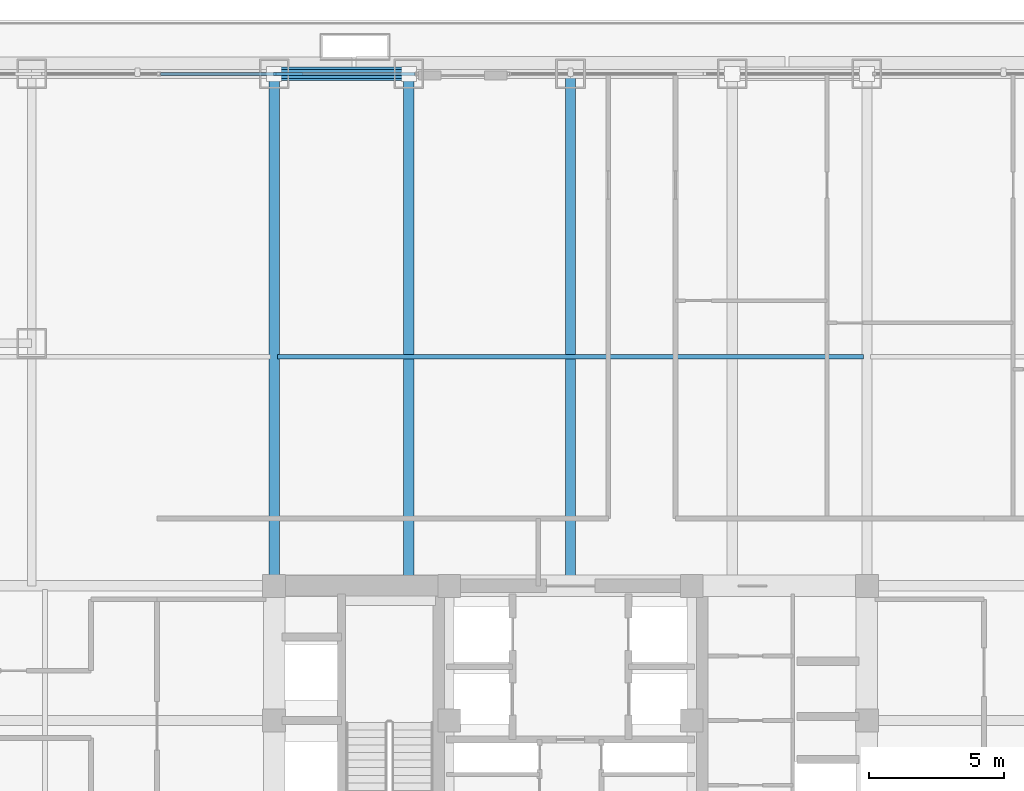
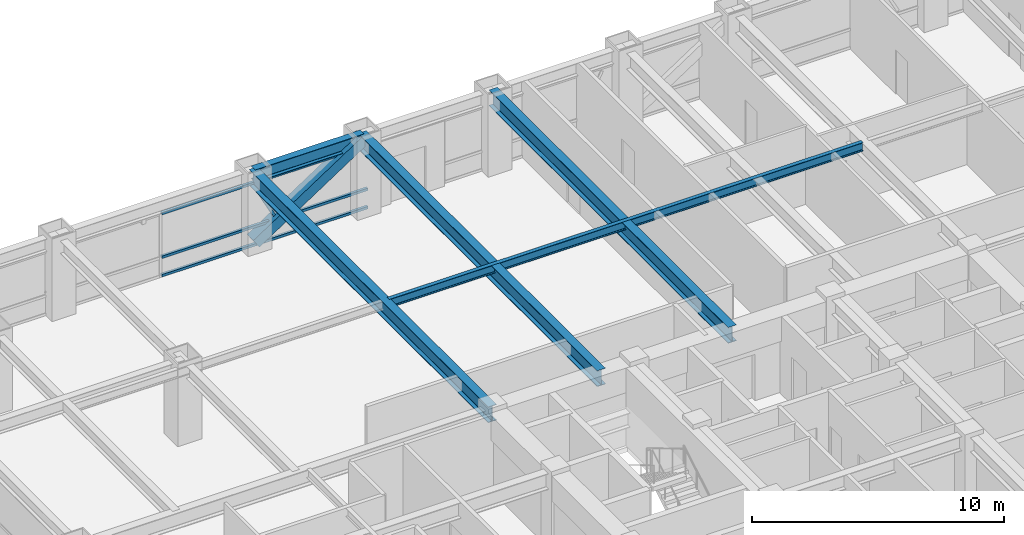
# One storey, part 18 of 35: 5 beams, 5 members, 1 element without a shape of its own.
"""IFC4 building model written with IfcOpenShell, lengths in metres."""

from ifc_helpers import new_model, si_unit, direction, frame, origin, origin_2d, place, context, subcontext, project, spatial, hollow_rectangle, i_section, extrude, source, transform, mapped, material, material_profile, profile_set, type_object, element, aggregate, save


model = new_model("IFC4")

# Units and contexts
model_context = context("Model", 3, precision=1e-05, world=origin(), true_north=direction((0.0, 1.0)))
body_context = subcontext(model_context, "Body", "Model", "MODEL_VIEW")
ifc_project = project(units=[si_unit("LENGTHUNIT", "METRE"), si_unit("AREAUNIT", "SQUARE_METRE"), si_unit("VOLUMEUNIT", "CUBIC_METRE"), si_unit("PLANEANGLEUNIT", "RADIAN"), si_unit("MASSUNIT", "GRAM", prefix="KILO")], contexts=[model_context])

# Site, building, storey
site_placement = place(None, origin())
site = spatial("IfcSite", under=ifc_project, at=site_placement, CompositionType="ELEMENT")
building_placement = place(site_placement, origin())
building = spatial("IfcBuilding", under=site, at=building_placement, Name="Khorayat Bourse Tower", CompositionType="ELEMENT")
storey_placement = place(building_placement, frame((0.0, 0.0, 155.10009765625)))
storey = spatial("IfcBuildingStorey", under=building, at=storey_placement, Name="L35", CompositionType="ELEMENT", Elevation=155.10009765625)

# Beams
ifc_material_1 = material(Name="Steel ASTM A992 Grade 50", Category="steel")
ifc_material_profile_1 = material_profile(ifc_material_1, i_section(OverallWidth=0.381103515625, OverallDepth=0.77294921875, WebThickness=0.0166015625, FlangeThickness=0.027587890625, FilletRadius=0.01806640625, at=origin_2d()), Name="W760X257")
ifc_profile_set_1 = profile_set([ifc_material_profile_1], Name="Steel ASTM A992 Grade 50")
beam_type_1 = type_object("IfcBeamType", Name="BM-GIRD-760", PredefinedType="BEAM", material=ifc_profile_set_1)
shared_shape_1 = source(origin(), body_context, "Body", "SweptSolid", [
    extrude(i_section(OverallWidth=0.381103515625, OverallDepth=0.77294921875, WebThickness=0.0166015625, FlangeThickness=0.027587890625, FilletRadius=0.01806640625, at=origin_2d()), origin(), (0.0, 0.0, 1.0), 19.0),
])
for number, where, z_axis, x_axis, name in (
    (1, (-11.0, 11.0, 3.393310546875), (0.0, 1.0, 0.0), (-1.0, 0.0, 0.0), "L35 BM-GIRD-760 BM-L35-RADY-064"),
    (2, (-6.0, 11.0, 3.393310546875), (0.0, 1.0, 0.0), (-1.0, 0.0, 0.0), "L35 BM-GIRD-760 BM-L35-RADY-066"),
    (3, (0.0, 11.0, 3.393310546875), (0.0, 1.0, 0.0), (-1.0, 0.0, 0.0), "L35 BM-GIRD-760 BM-L35-RADY-068"),
):
    element("IfcBeam", number, at=place(storey_placement, frame(where, z_axis=z_axis, x_axis=x_axis)), inside=storey, type_object=beam_type_1, Name=name, PredefinedType="BEAM", context=body_context, shape_type="MappedRepresentation", body=[
        mapped(shared_shape_1, transform((0.0, 0.0, 0.0), scale=1.0)),
    ])
ifc_material_profile_2 = material_profile(ifc_material_1, i_section(OverallWidth=0.180908203125, OverallDepth=0.4169921875, WebThickness=0.010986328125, FlangeThickness=0.018310546875, FilletRadius=0.011962890625, at=origin_2d()), Name="W410X85")
ifc_profile_set_2 = profile_set([ifc_material_profile_2], Name="Steel ASTM A992 Grade 50")
beam_type_2 = type_object("IfcBeamType", Name="BM-JOIST-410", PredefinedType="JOIST", material=ifc_profile_set_2)
shared_shape_2 = source(origin(), body_context, "Body", "SweptSolid", [
    extrude(i_section(OverallWidth=0.180908203125, OverallDepth=0.4169921875, WebThickness=0.010986328125, FlangeThickness=0.018310546875, FilletRadius=0.011962890625, at=origin_2d()), origin(), (0.0, 0.0, 1.0), 21.740234375),
])
beam_1_placement = place(storey_placement, frame((-10.8701171875, 19.5, 3.5712890625), z_axis=(1.0, 0.0, 0.0), x_axis=(0.0, 1.0, 0.0)))
element("IfcBeam", 4, at=beam_1_placement, inside=storey, type_object=beam_type_2, Name="L35 BM-JOIST-410 BM-L35-JSTX-100", PredefinedType="JOIST", context=body_context, shape_type="MappedRepresentation", body=[
    mapped(shared_shape_2, transform((0.0, 0.0, 0.0), scale=1.0)),
])
ifc_material_profile_3 = material_profile(ifc_material_1, i_section(OverallWidth=0.324951171875, OverallDepth=0.615966796875, WebThickness=0.013916015625, FlangeThickness=0.021484375, FilletRadius=0.01611328125, at=origin_2d()), Name="W610X174")
ifc_profile_set_3 = profile_set([ifc_material_profile_3], Name="Steel ASTM A992 Grade 50")
beam_type_3 = type_object("IfcBeamType", Name="BM-SPAN-610", PredefinedType="SPANDREL", material=ifc_profile_set_3)
shared_shape_3 = source(origin(), body_context, "Body", "SweptSolid", [
    extrude(i_section(OverallWidth=0.324951171875, OverallDepth=0.615966796875, WebThickness=0.013916015625, FlangeThickness=0.021484375, FilletRadius=0.01611328125, at=origin_2d()), origin(), (0.0, 0.0, 1.0), 5.0),
])
beam_2_placement = place(storey_placement, frame((-11.0, 30.0, 3.471923828125), z_axis=(1.0, 0.0, 0.0), x_axis=(0.0, 1.0, 0.0)))
element("IfcBeam", 5, at=beam_2_placement, inside=storey, type_object=beam_type_3, Name="L35 BM-SPAN-610 BM-L35-SPN-049", PredefinedType="SPANDREL", context=body_context, shape_type="MappedRepresentation", body=[
    mapped(shared_shape_3, transform((0.0, 0.0, 0.0), scale=1.0)),
])

# Member
ifc_material_2 = material(Name="Steel EN 10025-4 S460M", Category="steel")
ifc_material_profile_4 = material_profile(ifc_material_2, hollow_rectangle(XDim=0.5, YDim=0.5, WallThickness=0.028076171875, at=origin_2d()), Name="HSS 500x500x28")
ifc_profile_set_4 = profile_set([ifc_material_profile_4], Name="Steel EN 10025-4 S460M")
member_type_1 = type_object("IfcMemberType", Name="MBR-TUBE-500", PredefinedType="BRACE", material=ifc_profile_set_4)
shared_shape_4 = source(origin(), body_context, "Body", "SweptSolid", [
    extrude(hollow_rectangle(XDim=0.5, YDim=0.5, WallThickness=0.028076171875, at=origin_2d()), origin(), (0.0, 0.0, 1.0), 5.979736328125),
])
member_1_placement = place(storey_placement, frame((-11.0, 30.0, 0.25), z_axis=(0.836160261256, 0.0, 0.548485202623), x_axis=(0.0, 1.0, 0.0)))
element("IfcMember", 6, at=member_1_placement, inside=storey, type_object=member_type_1, Name="L35 Perimeter Tube Brace 03", PredefinedType="BRACE", context=body_context, shape_type="MappedRepresentation", body=[
    mapped(shared_shape_4, transform((0.0, 0.0, 0.0), scale=1.0)),
])

# Curtain wall, members
ifc_material_3 = material(Name="Aluminium EN AW-6063 T6", Category="aluminium")
curtain_wall_type = type_object("IfcCurtainWallType", Name="CW-SYS-03", PredefinedType="NOTDEFINED", material=ifc_material_3)
curtain_wall_placement = place(storey_placement, origin())
curtain_wall = element("IfcCurtainWall", 7, at=curtain_wall_placement, inside=storey, type_object=curtain_wall_type, Name="L35 Curtain Wall CW-L35-N1", PredefinedType="NOTDEFINED")
ifc_material_profile_5 = material_profile(ifc_material_3, hollow_rectangle(XDim=0.1201171875, YDim=0.1201171875, WallThickness=0.0048828125, at=origin_2d()), Name="ALU 120x120x5")
ifc_profile_set_5 = profile_set([ifc_material_profile_5], Name="Aluminium EN AW-6063 T6")
member_type_2 = type_object("IfcMemberType", Name="CWT-HORZ-120", PredefinedType="USERDEFINED", material=ifc_profile_set_5)
shared_shape_5 = source(origin(), body_context, "Body", "SweptSolid", [
    extrude(hollow_rectangle(XDim=0.1201171875, YDim=0.1201171875, WallThickness=0.0048828125, at=origin_2d()), origin(), (0.0, 0.0, 1.0), 9.445068359375),
])
member_2_placement = place(storey_placement, frame((-15.215087890625, 30.0, 0.059814453125), z_axis=(1.0, 0.0, 0.0), x_axis=(0.0, 1.0, 0.0)))
member_2 = element("IfcMember", 8, at=member_2_placement, type_object=member_type_2, Name="CW-L35-N1 Horizontal Transom 2-1", ObjectType="TRANSOM", PredefinedType="USERDEFINED", context=body_context, shape_type="MappedRepresentation", body=[
    mapped(shared_shape_5, transform((0.0, 0.0, 0.0), scale=1.0)),
])
member_3_placement = place(storey_placement, frame((-15.215087890625, 30.0, 0.949951171875), z_axis=(1.0, 0.0, 0.0), x_axis=(0.0, 1.0, 0.0)))
member_3 = element("IfcMember", 9, at=member_3_placement, type_object=member_type_2, Name="CW-L35-N1 Horizontal Transom 2-2", ObjectType="TRANSOM", PredefinedType="USERDEFINED", context=body_context, shape_type="MappedRepresentation", body=[
    mapped(shared_shape_5, transform((0.0, 0.0, 0.0), scale=1.0)),
])
member_4_placement = place(storey_placement, frame((-15.215087890625, 30.0, 3.06982421875), z_axis=(1.0, 0.0, 0.0), x_axis=(0.0, 1.0, 0.0)))
member_4 = element("IfcMember", 10, at=member_4_placement, type_object=member_type_2, Name="CW-L35-N1 Horizontal Transom 2-3", ObjectType="TRANSOM", PredefinedType="USERDEFINED", context=body_context, shape_type="MappedRepresentation", body=[
    mapped(shared_shape_5, transform((0.0, 0.0, 0.0), scale=1.0)),
])
ifc_material_profile_6 = material_profile(ifc_material_3, hollow_rectangle(XDim=0.1201171875, YDim=0.1201171875, WallThickness=0.0048828125, at=origin_2d()), Name="ALU 120x120x5")
ifc_profile_set_6 = profile_set([ifc_material_profile_6], Name="Aluminium EN AW-6063 T6")
member_type_3 = type_object("IfcMemberType", Name="CWM-DIAG-120", PredefinedType="MULLION", material=ifc_profile_set_6)
shared_shape_6 = source(origin(), body_context, "Body", "SweptSolid", [
    extrude(hollow_rectangle(XDim=0.1201171875, YDim=0.1201171875, WallThickness=0.0048828125, at=origin_2d()), origin(), (0.0, 0.0, 1.0), 2.079345703125),
])
member_5_placement = place(storey_placement, frame((-10.00830078125, 30.0, 1.08984375), z_axis=(-0.465760949701, 0.0, 0.884910581773), x_axis=(0.0, -1.0, 0.0)))
member_5 = element("IfcMember", 11, at=member_5_placement, type_object=member_type_3, Name="CW-L35-N1 Faceted Diagonal Mullion 2", PredefinedType="MULLION", context=body_context, shape_type="MappedRepresentation", body=[
    mapped(shared_shape_6, transform((0.0, 0.0, 0.0), scale=1.0)),
])
aggregate(curtain_wall, [member_2, member_3, member_4, member_5])

save(model, "model.ifc")
